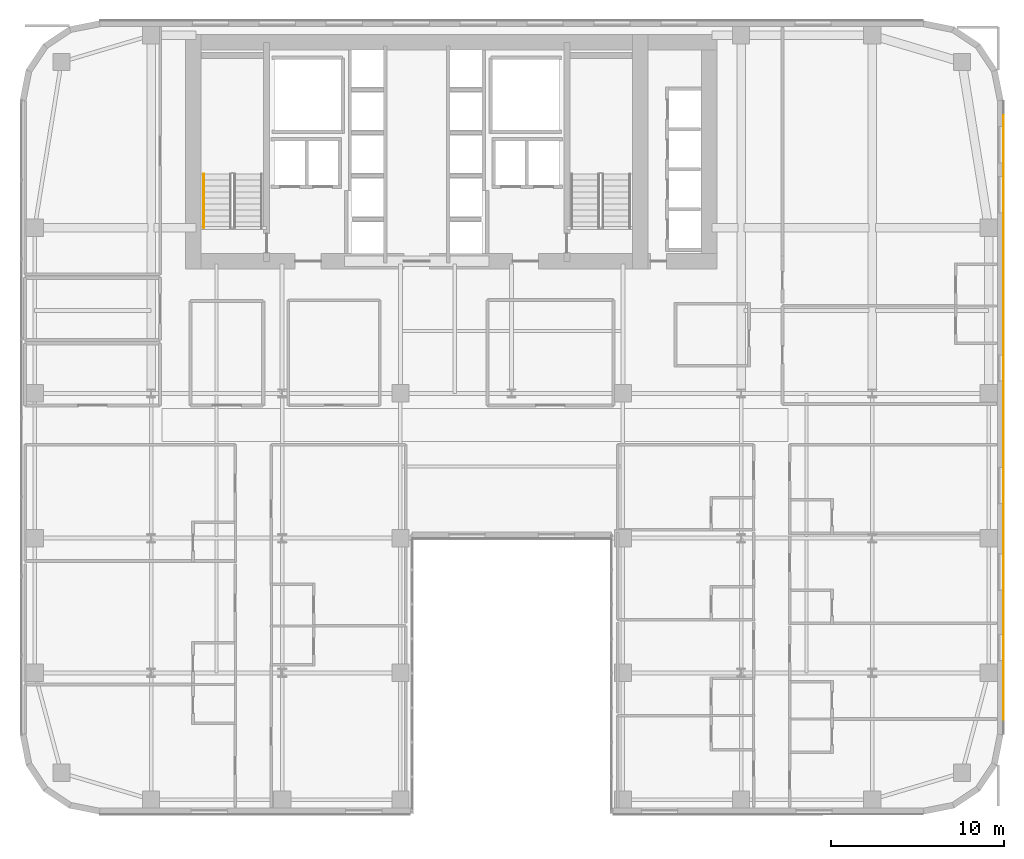
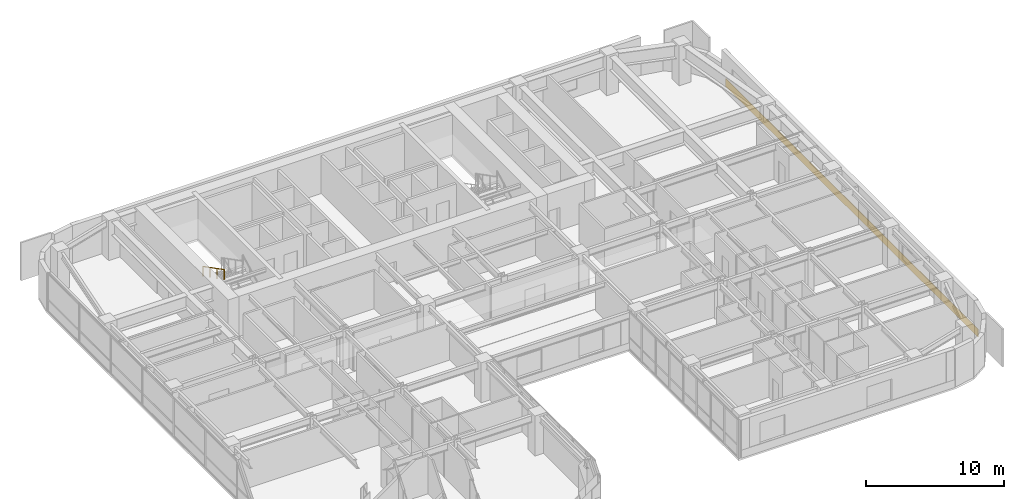
# One storey, part 34 of 37: 1 covering, 1 railing.
"""IFC4 building model written with IfcOpenShell, lengths in metres."""

from ifc_helpers import new_model, si_unit, direction, frame, origin, origin_2d, place, context, subcontext, project, spatial, polyline, circle, outline, extrude, material, layer, layer_set, type_object, element, save


model = new_model("IFC4")

# Units and contexts
model_context = context("Model", 3, precision=1e-05, world=origin(), true_north=direction((0.0, 1.0)))
body_context = subcontext(model_context, "Body", "Model", "MODEL_VIEW")
ifc_project = project(units=[si_unit("LENGTHUNIT", "METRE"), si_unit("AREAUNIT", "SQUARE_METRE"), si_unit("VOLUMEUNIT", "CUBIC_METRE"), si_unit("PLANEANGLEUNIT", "RADIAN"), si_unit("MASSUNIT", "GRAM", prefix="KILO")], contexts=[model_context])

# Site, building, storey
site_placement = place(None, origin())
site = spatial("IfcSite", under=ifc_project, at=site_placement, CompositionType="ELEMENT")
building_placement = place(site_placement, origin())
building = spatial("IfcBuilding", under=site, at=building_placement, Name="Tolvann Quenvar Hotel", CompositionType="ELEMENT")
storey_placement = place(building_placement, frame((0.0, 0.0, 53.300048828125)))
storey = spatial("IfcBuildingStorey", under=building, at=storey_placement, Name="L12", CompositionType="ELEMENT", Elevation=53.300048828125)

# Covering
ifc_material_1 = material(Name="Moulded buff architectural terracotta spandrel cladding", Category="masonry")
ifc_layer = layer(ifc_material_1, 0.0400390625)
ifc_layer_set = layer_set([ifc_layer], Name="Moulded buff architectural terracotta spandrel cladding")
covering_type = type_object("IfcCoveringType", Name="COV_CLAD_TERRA_40", PredefinedType="CLADDING", material=ifc_layer_set)
covering_placement = place(storey_placement, origin())
element("IfcCovering", 1, at=covering_placement, inside=storey, type_object=covering_type, Name="Terracotta Spandrel Cladding (L12-E13)", PredefinedType="CLADDING", context=body_context, shape_type="SweptSolid", body=[
    extrude(outline(polyline([(57.0, 4.6572265625), (57.0, 41.3427734375), (57.0400390625, 41.3427734375), (57.0400390625, 4.6572265625), (57.0, 4.6572265625)])), origin(), (0.0, 0.0, 1.0), 0.699951171875),
])

# Railing
ifc_material_2 = material(Name="Brushed 316 stainless steel balustrade and handrail", Category="steel")
railing_type = type_object("IfcRailingType", Name="HANDRAIL", PredefinedType="HANDRAIL", material=ifc_material_2)
railing_placement = place(storey_placement, frame((10.64990234375, 37.10498046875, 1.952392578125)))
element("IfcRailing", 2, at=railing_placement, inside=storey, type_object=railing_type, Name="L12 ST-C1 stair handrail 2", PredefinedType="HANDRAIL", context=body_context, shape_type="SweptSolid", body=[
    extrude(circle(Radius=0.02392578125, at=origin_2d()), frame((0.0, 0.0, 0.8759765625), z_axis=(0.0, -0.88919353882, 0.457531256332), x_axis=(1.0, 0.0, 0.0)), (0.0, 0.0, 1.0), 3.491943359375),
    extrude(circle(Radius=0.02099609375, at=origin_2d()), origin(), (0.0, 0.0, 1.0), 0.851806640625),
    extrude(circle(Radius=0.02099609375, at=origin_2d()), frame((0.0, -1.034912109375, 0.532470703125)), (0.0, 0.0, 1.0), 0.851806640625),
    extrude(circle(Radius=0.02099609375, at=origin_2d()), frame((0.0, -2.070068359375, 1.065185546875)), (0.0, 0.0, 1.0), 0.851806640625),
    extrude(circle(Radius=0.02099609375, at=origin_2d()), frame((0.0, -3.10498046875, 1.59765625)), (0.0, 0.0, 1.0), 0.851806640625),
])

save(model, "model.ifc")
